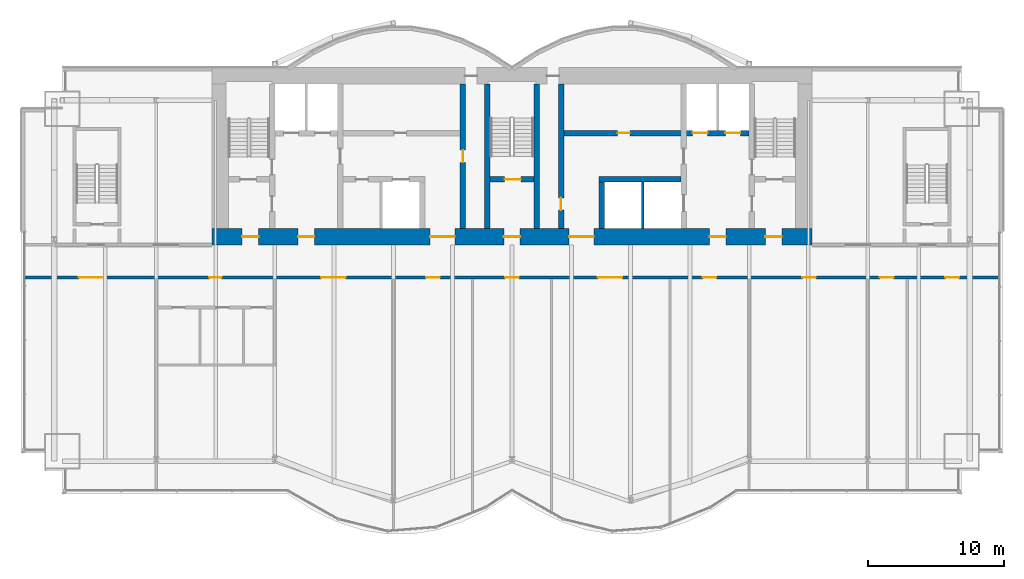
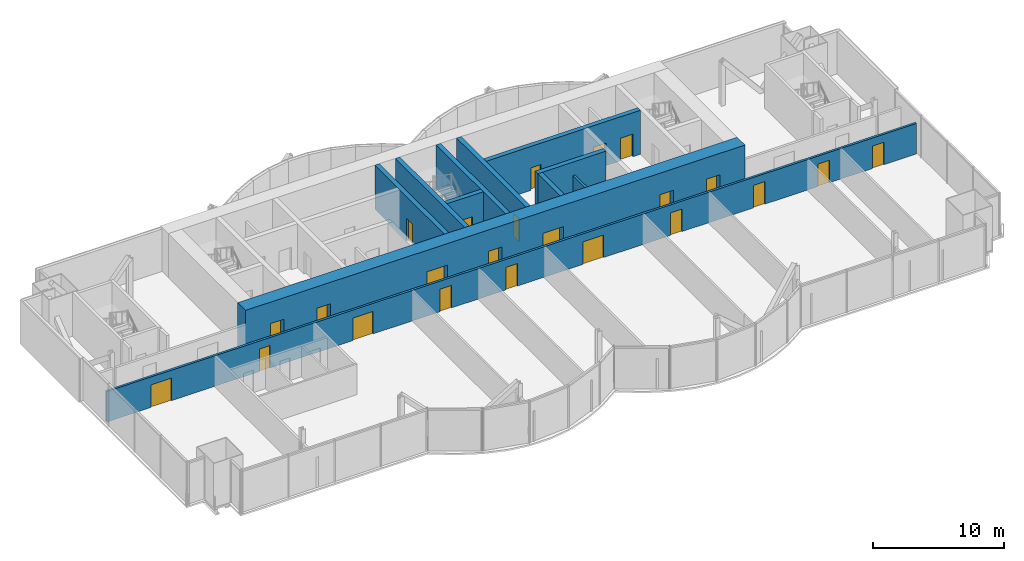
# One storey, part 15 of 20: 23 doors, 11 walls, 23 openings.
"""IFC4 building model written with IfcOpenShell, lengths in metres."""

from ifc_helpers import new_model, si_unit, direction, frame, frame_2d, origin, place, context, subcontext, project, spatial, rectangle, extrude, material, layer, layer_set, type_object, element, fill, save


model = new_model("IFC4")

# Units and contexts
model_context = context("Model", 3, precision=1e-05, world=origin(), true_north=direction((0.0, 1.0)))
body_context = subcontext(model_context, "Body", "Model", "MODEL_VIEW")
ifc_project = project(units=[si_unit("LENGTHUNIT", "METRE"), si_unit("AREAUNIT", "SQUARE_METRE"), si_unit("VOLUMEUNIT", "CUBIC_METRE"), si_unit("PLANEANGLEUNIT", "RADIAN"), si_unit("MASSUNIT", "GRAM", prefix="KILO")], contexts=[model_context])

# Site, building, storey
site_placement = place(None, origin())
site = spatial("IfcSite", under=ifc_project, at=site_placement, CompositionType="ELEMENT")
building_placement = place(site_placement, origin())
building = spatial("IfcBuilding", under=site, at=building_placement, Name="Bicima Exchange Tower", CompositionType="ELEMENT")
storey_placement = place(building_placement, frame((0.0, 0.0, 223.699951171875)))
storey = spatial("IfcBuildingStorey", under=building, at=storey_placement, Name="L50", CompositionType="ELEMENT", Elevation=223.699951171875)

# Wall
ifc_material_1 = material(Name="Gypsum board partition")
ifc_layer_1 = layer(ifc_material_1, 0.199951171875)
ifc_layer_set_1 = layer_set([ifc_layer_1], Name="Gypsum board partition")
wall_type_1 = type_object("IfcWallType", Name="Fire-rated gypsum partition 200 EI120", PredefinedType="PARTITIONING", material=ifc_layer_set_1)
wall_1_placement = place(storey_placement, frame((9.60009765625, -11.800048828125, 0.0), z_axis=(0.0, 0.0, 1.0), x_axis=(0.0, 1.0, 0.0)))
element("IfcWall", 1, at=wall_1_placement, inside=storey, type_object=wall_type_1, Name="partition wall 18", PredefinedType="PARTITIONING", context=body_context, shape_type="SweptSolid", body=[
    extrude(rectangle(XDim=3.400146484375, YDim=0.199951171875, at=frame_2d((1.7001953125, 0.0))), origin(), (0.0, 0.0, 1.0), 2.84033203125),
])

# Wall, openings, doors
ifc_layer_2 = layer(ifc_material_1, 0.199951171875)
ifc_layer_set_2 = layer_set([ifc_layer_2], Name="Gypsum board partition")
wall_type_2 = type_object("IfcWallType", Name="Fire-rated gypsum partition 200 EI60", PredefinedType="PARTITIONING", material=ifc_layer_set_2)
wall_2_placement = place(storey_placement, frame((-35.679931640625, -15.39990234375, 0.0), z_axis=(0.0, 0.0, 1.0), x_axis=(1.0, 0.0, 0.0)))
wall_2 = element("IfcWall", 2, at=wall_2_placement, inside=storey, type_object=wall_type_2, Name="partition wall 3", PredefinedType="PARTITIONING", context=body_context, shape_type="SweptSolid", body=[
    extrude(rectangle(XDim=71.35986328125, YDim=0.199951171875, at=frame_2d((35.679931640625, 0.0))), origin(), (0.0, 0.0, 1.0), 2.84033203125),
])
opening_1_placement = place(wall_2_placement, frame((3.89990234375, 0.0, 0.0)))
opening_1 = element("IfcOpeningElement", 3, at=opening_1_placement, cuts=wall_2, Name="Opening L50-007", PredefinedType="OPENING", context=body_context, shape_type="SweptSolid", body=[
    extrude(rectangle(XDim=1.800048828125, YDim=2.10009765625, at=frame_2d((0.89990234375, 1.050048828125))), frame((0.0, 0.11181640625, 0.0), z_axis=(0.0, -1.0, 0.0), x_axis=(1.0, 0.0, 0.0)), (0.0, 0.0, 1.0), 0.223876953125),
])
opening_2_placement = place(wall_2_placement, frame((13.47998046875, 0.0, 0.0)))
opening_2 = element("IfcOpeningElement", 4, at=opening_2_placement, cuts=wall_2, Name="Opening L50-008", PredefinedType="OPENING", context=body_context, shape_type="SweptSolid", body=[
    extrude(rectangle(XDim=0.89990234375, YDim=2.10009765625, at=frame_2d((0.449951171875, 1.050048828125))), frame((0.0, 0.11181640625, 0.0), z_axis=(0.0, -1.0, 0.0), x_axis=(1.0, 0.0, 0.0)), (0.0, 0.0, 1.0), 0.223876953125),
])
opening_3_placement = place(wall_2_placement, frame((21.679931640625, 0.0, 0.0)))
opening_3 = element("IfcOpeningElement", 5, at=opening_3_placement, cuts=wall_2, Name="Opening L50-012", PredefinedType="OPENING", context=body_context, shape_type="SweptSolid", body=[
    extrude(rectangle(XDim=1.800048828125, YDim=2.10009765625, at=frame_2d((0.89990234375, 1.050048828125))), frame((0.0, 0.11181640625, 0.0), z_axis=(0.0, -1.0, 0.0), x_axis=(1.0, 0.0, 0.0)), (0.0, 0.0, 1.0), 0.223876953125),
])
opening_4_placement = place(wall_2_placement, frame((29.3798828125, 0.0, 0.0)))
opening_4 = element("IfcOpeningElement", 6, at=opening_4_placement, cuts=wall_2, Name="Opening L50-013", PredefinedType="OPENING", context=body_context, shape_type="SweptSolid", body=[
    extrude(rectangle(XDim=1.0, YDim=2.10009765625, at=frame_2d((0.5, 1.050048828125))), frame((0.0, 0.11181640625, 0.0), z_axis=(0.0, -1.0, 0.0), x_axis=(1.0, 0.0, 0.0)), (0.0, 0.0, 1.0), 0.223876953125),
])
opening_5_placement = place(wall_2_placement, frame((35.179931640625, 0.0, 0.0)))
opening_5 = element("IfcOpeningElement", 7, at=opening_5_placement, cuts=wall_2, Name="Opening L50-014", PredefinedType="OPENING", context=body_context, shape_type="SweptSolid", body=[
    extrude(rectangle(XDim=1.0, YDim=2.10009765625, at=frame_2d((0.5, 1.050048828125))), frame((0.0, 0.11181640625, 0.0), z_axis=(0.0, -1.0, 0.0), x_axis=(1.0, 0.0, 0.0)), (0.0, 0.0, 1.0), 0.223876953125),
])
opening_6_placement = place(wall_2_placement, frame((41.97998046875, 0.0, 0.0)))
opening_6 = element("IfcOpeningElement", 8, at=opening_6_placement, cuts=wall_2, Name="Opening L50-015", PredefinedType="OPENING", context=body_context, shape_type="SweptSolid", body=[
    extrude(rectangle(XDim=1.800048828125, YDim=2.10009765625, at=frame_2d((0.89990234375, 1.050048828125))), frame((0.0, 0.11181640625, 0.0), z_axis=(0.0, -1.0, 0.0), x_axis=(1.0, 0.0, 0.0)), (0.0, 0.0, 1.0), 0.223876953125),
])
opening_7_placement = place(wall_2_placement, frame((49.679931640625, 0.0, 0.0)))
opening_7 = element("IfcOpeningElement", 9, at=opening_7_placement, cuts=wall_2, Name="Opening L50-016", PredefinedType="OPENING", context=body_context, shape_type="SweptSolid", body=[
    extrude(rectangle(XDim=1.0, YDim=2.10009765625, at=frame_2d((0.5, 1.050048828125))), frame((0.0, 0.11181640625, 0.0), z_axis=(0.0, -1.0, 0.0), x_axis=(1.0, 0.0, 0.0)), (0.0, 0.0, 1.0), 0.223876953125),
])
opening_8_placement = place(wall_2_placement, frame((56.97998046875, 0.0, 0.0)))
opening_8 = element("IfcOpeningElement", 10, at=opening_8_placement, cuts=wall_2, Name="Opening L50-017", PredefinedType="OPENING", context=body_context, shape_type="SweptSolid", body=[
    extrude(rectangle(XDim=1.0, YDim=2.10009765625, at=frame_2d((0.5, 1.050048828125))), frame((0.0, 0.11181640625, 0.0), z_axis=(0.0, -1.0, 0.0), x_axis=(1.0, 0.0, 0.0)), (0.0, 0.0, 1.0), 0.223876953125),
])
opening_9_placement = place(wall_2_placement, frame((62.679931640625, 0.0, 0.0)))
opening_9 = element("IfcOpeningElement", 11, at=opening_9_placement, cuts=wall_2, Name="Opening L50-018", PredefinedType="OPENING", context=body_context, shape_type="SweptSolid", body=[
    extrude(rectangle(XDim=1.0, YDim=2.10009765625, at=frame_2d((0.5, 1.050048828125))), frame((0.0, 0.11181640625, 0.0), z_axis=(0.0, -1.0, 0.0), x_axis=(1.0, 0.0, 0.0)), (0.0, 0.0, 1.0), 0.223876953125),
])
opening_10_placement = place(wall_2_placement, frame((67.47998046875, 0.0, 0.0)))
opening_10 = element("IfcOpeningElement", 12, at=opening_10_placement, cuts=wall_2, Name="Opening L50-019", PredefinedType="OPENING", context=body_context, shape_type="SweptSolid", body=[
    extrude(rectangle(XDim=1.0, YDim=2.10009765625, at=frame_2d((0.5, 1.050048828125))), frame((0.0, 0.11181640625, 0.0), z_axis=(0.0, -1.0, 0.0), x_axis=(1.0, 0.0, 0.0)), (0.0, 0.0, 1.0), 0.223876953125),
])
ifc_material_2 = material(Name="Steel fire door leaf", Category="steel")
door_type_1 = type_object("IfcDoorType", Name="Door 1000 swing FD30S", OperationType="SINGLE_SWING_LEFT", PredefinedType="DOOR", material=ifc_material_2)
door_1_placement = place(opening_4_placement, frame((1.0, 0.0, 0.0), z_axis=(0.0, 0.0, 1.0), x_axis=(-1.0, 0.0, 0.0)))
door_1 = element("IfcDoor", 13, at=door_1_placement, inside=storey, type_object=door_type_1, Name="Door", OperationType="SINGLE_SWING_LEFT", OverallHeight=2.10009765625, OverallWidth=1.0, PredefinedType="DOOR", context=body_context, shape_type="SweptSolid", body=[
    extrude(rectangle(XDim=1.0, YDim=2.10009765625, at=frame_2d((0.5, 1.050048828125))), frame((0.0, 0.02490234375, 0.0), z_axis=(0.0, -1.0, 0.0), x_axis=(1.0, 0.0, 0.0)), (0.0, 0.0, 1.0), 0.050048828125),
])
fill(opening_4, door_1)
door_2_placement = place(opening_5_placement, frame((1.0, 0.0, 0.0), z_axis=(0.0, 0.0, 1.0), x_axis=(-1.0, 0.0, 0.0)))
door_2 = element("IfcDoor", 14, at=door_2_placement, inside=storey, type_object=door_type_1, Name="Door", OperationType="SINGLE_SWING_RIGHT", OverallHeight=2.10009765625, OverallWidth=1.0, PredefinedType="DOOR", context=body_context, shape_type="SweptSolid", body=[
    extrude(rectangle(XDim=1.0, YDim=2.10009765625, at=frame_2d((0.5, 1.050048828125))), frame((0.0, 0.02490234375, 0.0), z_axis=(0.0, -1.0, 0.0), x_axis=(1.0, 0.0, 0.0)), (0.0, 0.0, 1.0), 0.050048828125),
])
fill(opening_5, door_2)
door_3_placement = place(opening_7_placement, frame((1.0, 0.0, 0.0), z_axis=(0.0, 0.0, 1.0), x_axis=(-1.0, 0.0, 0.0)))
door_3 = element("IfcDoor", 15, at=door_3_placement, inside=storey, type_object=door_type_1, Name="Door", OperationType="SINGLE_SWING_LEFT", OverallHeight=2.10009765625, OverallWidth=1.0, PredefinedType="DOOR", context=body_context, shape_type="SweptSolid", body=[
    extrude(rectangle(XDim=1.0, YDim=2.10009765625, at=frame_2d((0.5, 1.050048828125))), frame((0.0, 0.02490234375, 0.0), z_axis=(0.0, -1.0, 0.0), x_axis=(1.0, 0.0, 0.0)), (0.0, 0.0, 1.0), 0.050048828125),
])
fill(opening_7, door_3)
door_4_placement = place(opening_8_placement, frame((1.0, 0.0, 0.0), z_axis=(0.0, 0.0, 1.0), x_axis=(-1.0, 0.0, 0.0)))
door_4 = element("IfcDoor", 16, at=door_4_placement, inside=storey, type_object=door_type_1, Name="Door", OperationType="SINGLE_SWING_RIGHT", OverallHeight=2.10009765625, OverallWidth=1.0, PredefinedType="DOOR", context=body_context, shape_type="SweptSolid", body=[
    extrude(rectangle(XDim=1.0, YDim=2.10009765625, at=frame_2d((0.5, 1.050048828125))), frame((0.0, 0.02490234375, 0.0), z_axis=(0.0, -1.0, 0.0), x_axis=(1.0, 0.0, 0.0)), (0.0, 0.0, 1.0), 0.050048828125),
])
fill(opening_8, door_4)
door_5_placement = place(opening_9_placement, frame((1.0, 0.0, 0.0), z_axis=(0.0, 0.0, 1.0), x_axis=(-1.0, 0.0, 0.0)))
door_5 = element("IfcDoor", 17, at=door_5_placement, inside=storey, type_object=door_type_1, Name="Door", OperationType="SINGLE_SWING_RIGHT", OverallHeight=2.10009765625, OverallWidth=1.0, PredefinedType="DOOR", context=body_context, shape_type="SweptSolid", body=[
    extrude(rectangle(XDim=1.0, YDim=2.10009765625, at=frame_2d((0.5, 1.050048828125))), frame((0.0, 0.02490234375, 0.0), z_axis=(0.0, -1.0, 0.0), x_axis=(1.0, 0.0, 0.0)), (0.0, 0.0, 1.0), 0.050048828125),
])
fill(opening_9, door_5)
door_6_placement = place(opening_10_placement, frame((1.0, 0.0, 0.0), z_axis=(0.0, 0.0, 1.0), x_axis=(-1.0, 0.0, 0.0)))
door_6 = element("IfcDoor", 18, at=door_6_placement, inside=storey, type_object=door_type_1, Name="Door", OperationType="SINGLE_SWING_LEFT", OverallHeight=2.10009765625, OverallWidth=1.0, PredefinedType="DOOR", context=body_context, shape_type="SweptSolid", body=[
    extrude(rectangle(XDim=1.0, YDim=2.10009765625, at=frame_2d((0.5, 1.050048828125))), frame((0.0, 0.02490234375, 0.0), z_axis=(0.0, -1.0, 0.0), x_axis=(1.0, 0.0, 0.0)), (0.0, 0.0, 1.0), 0.050048828125),
])
fill(opening_10, door_6)
door_type_2 = type_object("IfcDoorType", Name="Door 1800 double swing FD30S", OperationType="DOUBLE_DOOR_SINGLE_SWING", PredefinedType="DOOR", material=ifc_material_2)
door_7_placement = place(opening_1_placement, origin())
door_7 = element("IfcDoor", 19, at=door_7_placement, inside=storey, type_object=door_type_2, Name="Door", OperationType="SINGLE_SWING_LEFT", OverallHeight=2.10009765625, OverallWidth=1.800048828125, PredefinedType="DOOR", context=body_context, shape_type="SweptSolid", body=[
    extrude(rectangle(XDim=1.800048828125, YDim=2.10009765625, at=frame_2d((0.89990234375, 1.050048828125))), frame((0.0, 0.02490234375, 0.0), z_axis=(0.0, -1.0, 0.0), x_axis=(1.0, 0.0, 0.0)), (0.0, 0.0, 1.0), 0.050048828125),
])
fill(opening_1, door_7)
door_8_placement = place(opening_3_placement, origin())
door_8 = element("IfcDoor", 20, at=door_8_placement, inside=storey, type_object=door_type_2, Name="Door", OperationType="SINGLE_SWING_LEFT", OverallHeight=2.10009765625, OverallWidth=1.800048828125, PredefinedType="DOOR", context=body_context, shape_type="SweptSolid", body=[
    extrude(rectangle(XDim=1.800048828125, YDim=2.10009765625, at=frame_2d((0.89990234375, 1.050048828125))), frame((0.0, 0.02490234375, 0.0), z_axis=(0.0, -1.0, 0.0), x_axis=(1.0, 0.0, 0.0)), (0.0, 0.0, 1.0), 0.050048828125),
])
fill(opening_3, door_8)
door_9_placement = place(opening_6_placement, origin())
door_9 = element("IfcDoor", 21, at=door_9_placement, inside=storey, type_object=door_type_2, Name="Door", OperationType="SINGLE_SWING_LEFT", OverallHeight=2.10009765625, OverallWidth=1.800048828125, PredefinedType="DOOR", context=body_context, shape_type="SweptSolid", body=[
    extrude(rectangle(XDim=1.800048828125, YDim=2.10009765625, at=frame_2d((0.89990234375, 1.050048828125))), frame((0.0, 0.02490234375, 0.0), z_axis=(0.0, -1.0, 0.0), x_axis=(1.0, 0.0, 0.0)), (0.0, 0.0, 1.0), 0.050048828125),
])
fill(opening_6, door_9)
door_type_3 = type_object("IfcDoorType", Name="Door 900 swing FD30S", OperationType="SINGLE_SWING_LEFT", PredefinedType="DOOR", material=ifc_material_2)
door_10_placement = place(opening_2_placement, frame((0.89990234375, 0.0, 0.0), z_axis=(0.0, 0.0, 1.0), x_axis=(-1.0, 0.0, 0.0)))
door_10 = element("IfcDoor", 22, at=door_10_placement, inside=storey, type_object=door_type_3, Name="Door", OperationType="SINGLE_SWING_RIGHT", OverallHeight=2.10009765625, OverallWidth=0.89990234375, PredefinedType="DOOR", context=body_context, shape_type="SweptSolid", body=[
    extrude(rectangle(XDim=0.89990234375, YDim=2.10009765625, at=frame_2d((0.449951171875, 1.050048828125))), frame((0.0, 0.02490234375, 0.0), z_axis=(0.0, -1.0, 0.0), x_axis=(1.0, 0.0, 0.0)), (0.0, 0.0, 1.0), 0.050048828125),
])
fill(opening_2, door_10)

ifc_material_3 = material(Name="Concrete C50/60", Category="concrete")
ifc_layer_3 = layer(ifc_material_3, 1.199951171875)
ifc_layer_set_3 = layer_set([ifc_layer_3], Name="Concrete C50/60")
wall_type_3 = type_object("IfcWallType", Name="RC core wall 1200 C50/60", PredefinedType="SHEAR", material=ifc_layer_set_3)
wall_3_placement = place(storey_placement, frame((-22.0, -12.39990234375, 0.0), z_axis=(0.0, 0.0, 1.0), x_axis=(1.0, 0.0, 0.0)))
wall_3 = element("IfcWall", 23, at=wall_3_placement, inside=storey, type_object=wall_type_3, Name="Core wall south", PredefinedType="SHEAR", context=body_context, shape_type="SweptSolid", body=[
    extrude(rectangle(XDim=44.0, YDim=1.199951171875, at=frame_2d((22.0, 0.0))), origin(), (0.0, 0.0, 1.0), 4.10009765625),
])
opening_11_placement = place(wall_3_placement, frame((2.199951171875, 0.0, 0.0)))
opening_11 = element("IfcOpeningElement", 24, at=opening_11_placement, cuts=wall_3, Name="Opening L50-C17", PredefinedType="OPENING", context=body_context, shape_type="SweptSolid", body=[
    extrude(rectangle(XDim=1.199951171875, YDim=2.10009765625, at=frame_2d((0.60009765625, 1.050048828125))), frame((0.0, 0.61181640625, 0.0), z_axis=(0.0, -1.0, 0.0), x_axis=(1.0, 0.0, 0.0)), (0.0, 0.0, 1.0), 1.223876953125),
])
opening_12_placement = place(wall_3_placement, frame((21.39990234375, 0.0, 0.0)))
opening_12 = element("IfcOpeningElement", 25, at=opening_12_placement, cuts=wall_3, Name="Opening L50-C18", PredefinedType="OPENING", context=body_context, shape_type="SweptSolid", body=[
    extrude(rectangle(XDim=1.199951171875, YDim=2.10009765625, at=frame_2d((0.60009765625, 1.050048828125))), frame((0.0, 0.61181640625, 0.0), z_axis=(0.0, -1.0, 0.0), x_axis=(1.0, 0.0, 0.0)), (0.0, 0.0, 1.0), 1.223876953125),
])
opening_13_placement = place(wall_3_placement, frame((40.60009765625, 0.0, 0.0)))
opening_13 = element("IfcOpeningElement", 26, at=opening_13_placement, cuts=wall_3, Name="Opening L50-C19", PredefinedType="OPENING", context=body_context, shape_type="SweptSolid", body=[
    extrude(rectangle(XDim=1.199951171875, YDim=2.10009765625, at=frame_2d((0.60009765625, 1.050048828125))), frame((0.0, 0.61181640625, 0.0), z_axis=(0.0, -1.0, 0.0), x_axis=(1.0, 0.0, 0.0)), (0.0, 0.0, 1.0), 1.223876953125),
])
opening_14_placement = place(wall_3_placement, frame((16.0, 0.0, 0.0)))
opening_14 = element("IfcOpeningElement", 27, at=opening_14_placement, cuts=wall_3, Name="Opening L50-C20", PredefinedType="OPENING", context=body_context, shape_type="SweptSolid", body=[
    extrude(rectangle(XDim=1.800048828125, YDim=2.10009765625, at=frame_2d((0.89990234375, 1.050048828125))), frame((0.0, 0.61181640625, 0.0), z_axis=(0.0, -1.0, 0.0), x_axis=(1.0, 0.0, 0.0)), (0.0, 0.0, 1.0), 1.223876953125),
])
opening_15_placement = place(wall_3_placement, frame((6.300048828125, 0.0, 0.0)))
opening_15 = element("IfcOpeningElement", 28, at=opening_15_placement, cuts=wall_3, Name="Opening L50-C21", PredefinedType="OPENING", context=body_context, shape_type="SweptSolid", body=[
    extrude(rectangle(XDim=1.199951171875, YDim=2.10009765625, at=frame_2d((0.60009765625, 1.050048828125))), frame((0.0, 0.61181640625, 0.0), z_axis=(0.0, -1.0, 0.0), x_axis=(1.0, 0.0, 0.0)), (0.0, 0.0, 1.0), 1.223876953125),
])
opening_16_placement = place(wall_3_placement, frame((26.199951171875, 0.0, 0.0)))
opening_16 = element("IfcOpeningElement", 29, at=opening_16_placement, cuts=wall_3, Name="Opening L50-C22", PredefinedType="OPENING", context=body_context, shape_type="SweptSolid", body=[
    extrude(rectangle(XDim=1.800048828125, YDim=2.10009765625, at=frame_2d((0.89990234375, 1.050048828125))), frame((0.0, 0.61181640625, 0.0), z_axis=(0.0, -1.0, 0.0), x_axis=(1.0, 0.0, 0.0)), (0.0, 0.0, 1.0), 1.223876953125),
])
opening_17_placement = place(wall_3_placement, frame((36.5, 0.0, 0.0)))
opening_17 = element("IfcOpeningElement", 30, at=opening_17_placement, cuts=wall_3, Name="Opening L50-C23", PredefinedType="OPENING", context=body_context, shape_type="SweptSolid", body=[
    extrude(rectangle(XDim=1.199951171875, YDim=2.10009765625, at=frame_2d((0.60009765625, 1.050048828125))), frame((0.0, 0.61181640625, 0.0), z_axis=(0.0, -1.0, 0.0), x_axis=(1.0, 0.0, 0.0)), (0.0, 0.0, 1.0), 1.223876953125),
])
door_type_4 = type_object("IfcDoorType", Name="Door 1200 swing FD60S", OperationType="SINGLE_SWING_LEFT", PredefinedType="DOOR", material=ifc_material_2)
door_11_placement = place(opening_11_placement, frame((1.199951171875, 0.0, 0.0), z_axis=(0.0, 0.0, 1.0), x_axis=(-1.0, 0.0, 0.0)))
door_11 = element("IfcDoor", 31, at=door_11_placement, inside=storey, type_object=door_type_4, Name="Core door", OperationType="SINGLE_SWING_RIGHT", OverallHeight=2.10009765625, OverallWidth=1.199951171875, PredefinedType="DOOR", context=body_context, shape_type="SweptSolid", body=[
    extrude(rectangle(XDim=1.199951171875, YDim=2.10009765625, at=frame_2d((0.60009765625, 1.050048828125))), frame((0.0, 0.02490234375, 0.0), z_axis=(0.0, -1.0, 0.0), x_axis=(1.0, 0.0, 0.0)), (0.0, 0.0, 1.0), 0.050048828125),
])
fill(opening_11, door_11)
door_12_placement = place(opening_12_placement, frame((1.199951171875, 0.0, 0.0), z_axis=(0.0, 0.0, 1.0), x_axis=(-1.0, 0.0, 0.0)))
door_12 = element("IfcDoor", 32, at=door_12_placement, inside=storey, type_object=door_type_4, Name="Core door", OperationType="SINGLE_SWING_RIGHT", OverallHeight=2.10009765625, OverallWidth=1.199951171875, PredefinedType="DOOR", context=body_context, shape_type="SweptSolid", body=[
    extrude(rectangle(XDim=1.199951171875, YDim=2.10009765625, at=frame_2d((0.60009765625, 1.050048828125))), frame((0.0, 0.02490234375, 0.0), z_axis=(0.0, -1.0, 0.0), x_axis=(1.0, 0.0, 0.0)), (0.0, 0.0, 1.0), 0.050048828125),
])
fill(opening_12, door_12)
door_13_placement = place(opening_13_placement, frame((1.199951171875, 0.0, 0.0), z_axis=(0.0, 0.0, 1.0), x_axis=(-1.0, 0.0, 0.0)))
door_13 = element("IfcDoor", 33, at=door_13_placement, inside=storey, type_object=door_type_4, Name="Core door", OperationType="SINGLE_SWING_RIGHT", OverallHeight=2.10009765625, OverallWidth=1.199951171875, PredefinedType="DOOR", context=body_context, shape_type="SweptSolid", body=[
    extrude(rectangle(XDim=1.199951171875, YDim=2.10009765625, at=frame_2d((0.60009765625, 1.050048828125))), frame((0.0, 0.02490234375, 0.0), z_axis=(0.0, -1.0, 0.0), x_axis=(1.0, 0.0, 0.0)), (0.0, 0.0, 1.0), 0.050048828125),
])
fill(opening_13, door_13)
door_14_placement = place(opening_15_placement, frame((1.199951171875, 0.0, 0.0), z_axis=(0.0, 0.0, 1.0), x_axis=(-1.0, 0.0, 0.0)))
door_14 = element("IfcDoor", 34, at=door_14_placement, inside=storey, type_object=door_type_4, Name="Core door", OperationType="SINGLE_SWING_RIGHT", OverallHeight=2.10009765625, OverallWidth=1.199951171875, PredefinedType="DOOR", context=body_context, shape_type="SweptSolid", body=[
    extrude(rectangle(XDim=1.199951171875, YDim=2.10009765625, at=frame_2d((0.60009765625, 1.050048828125))), frame((0.0, 0.02490234375, 0.0), z_axis=(0.0, -1.0, 0.0), x_axis=(1.0, 0.0, 0.0)), (0.0, 0.0, 1.0), 0.050048828125),
])
fill(opening_15, door_14)
door_15_placement = place(opening_17_placement, frame((1.199951171875, 0.0, 0.0), z_axis=(0.0, 0.0, 1.0), x_axis=(-1.0, 0.0, 0.0)))
door_15 = element("IfcDoor", 35, at=door_15_placement, inside=storey, type_object=door_type_4, Name="Core door", OperationType="SINGLE_SWING_RIGHT", OverallHeight=2.10009765625, OverallWidth=1.199951171875, PredefinedType="DOOR", context=body_context, shape_type="SweptSolid", body=[
    extrude(rectangle(XDim=1.199951171875, YDim=2.10009765625, at=frame_2d((0.60009765625, 1.050048828125))), frame((0.0, 0.02490234375, 0.0), z_axis=(0.0, -1.0, 0.0), x_axis=(1.0, 0.0, 0.0)), (0.0, 0.0, 1.0), 0.050048828125),
])
fill(opening_17, door_15)
door_16_placement = place(opening_14_placement, origin())
door_16 = element("IfcDoor", 36, at=door_16_placement, inside=storey, type_object=door_type_2, Name="Core door", OperationType="SINGLE_SWING_LEFT", OverallHeight=2.10009765625, OverallWidth=1.800048828125, PredefinedType="DOOR", context=body_context, shape_type="SweptSolid", body=[
    extrude(rectangle(XDim=1.800048828125, YDim=2.10009765625, at=frame_2d((0.89990234375, 1.050048828125))), frame((0.0, 0.02490234375, 0.0), z_axis=(0.0, -1.0, 0.0), x_axis=(1.0, 0.0, 0.0)), (0.0, 0.0, 1.0), 0.050048828125),
])
fill(opening_14, door_16)
door_17_placement = place(opening_16_placement, origin())
door_17 = element("IfcDoor", 37, at=door_17_placement, inside=storey, type_object=door_type_2, Name="Core door", OperationType="SINGLE_SWING_LEFT", OverallHeight=2.10009765625, OverallWidth=1.800048828125, PredefinedType="DOOR", context=body_context, shape_type="SweptSolid", body=[
    extrude(rectangle(XDim=1.800048828125, YDim=2.10009765625, at=frame_2d((0.89990234375, 1.050048828125))), frame((0.0, 0.02490234375, 0.0), z_axis=(0.0, -1.0, 0.0), x_axis=(1.0, 0.0, 0.0)), (0.0, 0.0, 1.0), 0.050048828125),
])
fill(opening_16, door_17)

# Wall, opening, door
ifc_layer_4 = layer(ifc_material_3, 0.39990234375)
ifc_layer_set_4 = layer_set([ifc_layer_4], Name="Concrete C50/60")
wall_type_4 = type_object("IfcWallType", Name="RC core wall 400 C50/60", PredefinedType="SHEAR", material=ifc_layer_set_4)
wall_4_placement = place(storey_placement, frame((-1.60009765625, -8.199951171875, 0.0), z_axis=(0.0, 0.0, 1.0), x_axis=(1.0, 0.0, 0.0)))
wall_4 = element("IfcWall", 38, at=wall_4_placement, inside=storey, type_object=wall_type_4, Name="stair wall 3", PredefinedType="SHEAR", context=body_context, shape_type="SweptSolid", body=[
    extrude(rectangle(XDim=3.2001953125, YDim=0.39990234375, at=frame_2d((1.60009765625, 0.0))), origin(), (0.0, 0.0, 1.0), 4.10009765625),
])
opening_18_placement = place(wall_4_placement, frame((1.050048828125, 0.0, 0.0)))
opening_18 = element("IfcOpeningElement", 39, at=opening_18_placement, cuts=wall_4, Name="Opening L50-C03", PredefinedType="OPENING", context=body_context, shape_type="SweptSolid", body=[
    extrude(rectangle(XDim=1.199951171875, YDim=2.10009765625, at=frame_2d((0.60009765625, 1.050048828125))), frame((0.0, 0.2119140625, 0.0), z_axis=(0.0, -1.0, 0.0), x_axis=(1.0, 0.0, 0.0)), (0.0, 0.0, 1.0), 0.423828125),
])
door_18_placement = place(opening_18_placement, origin())
door_18 = element("IfcDoor", 40, at=door_18_placement, inside=storey, type_object=door_type_4, Name="Core door", OperationType="SINGLE_SWING_LEFT", OverallHeight=2.10009765625, OverallWidth=1.199951171875, PredefinedType="DOOR", context=body_context, shape_type="SweptSolid", body=[
    extrude(rectangle(XDim=1.199951171875, YDim=2.10009765625, at=frame_2d((0.60009765625, 1.050048828125))), frame((0.0, 0.02490234375, 0.0), z_axis=(0.0, -1.0, 0.0), x_axis=(1.0, 0.0, 0.0)), (0.0, 0.0, 1.0), 0.050048828125),
])
fill(opening_18, door_18)

# Wall
wall_5_placement = place(storey_placement, frame((6.39990234375, -8.199951171875, 0.0), z_axis=(0.0, 0.0, 1.0), x_axis=(1.0, 0.0, 0.0)))
element("IfcWall", 41, at=wall_5_placement, inside=storey, type_object=wall_type_4, Name="shear wall 4", PredefinedType="SHEAR", context=body_context, shape_type="SweptSolid", body=[
    extrude(rectangle(XDim=6.0, YDim=0.39990234375, at=frame_2d((3.0, 0.0))), origin(), (0.0, 0.0, 1.0), 4.10009765625),
])

# Wall, openings, doors
wall_6_placement = place(storey_placement, frame((3.800048828125, -4.800048828125, 0.0), z_axis=(0.0, 0.0, 1.0), x_axis=(1.0, 0.0, 0.0)))
wall_6 = element("IfcWall", 42, at=wall_6_placement, inside=storey, type_object=wall_type_4, Name="shear wall 7", PredefinedType="SHEAR", context=body_context, shape_type="SweptSolid", body=[
    extrude(rectangle(XDim=13.599853515625, YDim=0.39990234375, at=frame_2d((6.7998046875, 0.0))), origin(), (0.0, 0.0, 1.0), 4.10009765625),
])
opening_19_placement = place(wall_6_placement, frame((9.449951171875, 0.0, 0.0)))
opening_19 = element("IfcOpeningElement", 43, at=opening_19_placement, cuts=wall_6, Name="Opening LD-FF2-L50", PredefinedType="OPENING", context=body_context, shape_type="SweptSolid", body=[
    extrude(rectangle(XDim=1.10009765625, YDim=2.10009765625, at=frame_2d((0.550048828125, 1.050048828125))), frame((0.0, 0.2119140625, 0.0), z_axis=(0.0, -1.0, 0.0), x_axis=(1.0, 0.0, 0.0)), (0.0, 0.0, 1.0), 0.423828125),
])
opening_20_placement = place(wall_6_placement, frame((11.85009765625, 0.0, 0.0)))
opening_20 = element("IfcOpeningElement", 44, at=opening_20_placement, cuts=wall_6, Name="Opening LD-SV1-L50", PredefinedType="OPENING", context=body_context, shape_type="SweptSolid", body=[
    extrude(rectangle(XDim=1.10009765625, YDim=2.10009765625, at=frame_2d((0.550048828125, 1.050048828125))), frame((0.0, 0.2119140625, 0.0), z_axis=(0.0, -1.0, 0.0), x_axis=(1.0, 0.0, 0.0)), (0.0, 0.0, 1.0), 0.423828125),
])
opening_21_placement = place(wall_6_placement, frame((3.949951171875, 0.0, 0.0)))
opening_21 = element("IfcOpeningElement", 45, at=opening_21_placement, cuts=wall_6, Name="Opening L50-C13", PredefinedType="OPENING", context=body_context, shape_type="SweptSolid", body=[
    extrude(rectangle(XDim=0.89990234375, YDim=2.10009765625, at=frame_2d((0.449951171875, 1.050048828125))), frame((0.0, 0.2119140625, 0.0), z_axis=(0.0, -1.0, 0.0), x_axis=(1.0, 0.0, 0.0)), (0.0, 0.0, 1.0), 0.423828125),
])
door_19_placement = place(opening_21_placement, origin())
door_19 = element("IfcDoor", 46, at=door_19_placement, inside=storey, type_object=door_type_3, Name="Core door", OperationType="SINGLE_SWING_LEFT", OverallHeight=2.10009765625, OverallWidth=0.89990234375, PredefinedType="DOOR", context=body_context, shape_type="SweptSolid", body=[
    extrude(rectangle(XDim=0.89990234375, YDim=2.10009765625, at=frame_2d((0.449951171875, 1.050048828125))), frame((0.0, 0.02490234375, 0.0), z_axis=(0.0, -1.0, 0.0), x_axis=(1.0, 0.0, 0.0)), (0.0, 0.0, 1.0), 0.050048828125),
])
fill(opening_21, door_19)
ifc_material_4 = material(Name="Stainless steel", Category="steel")
door_type_5 = type_object("IfcDoorType", Name="Lift landing door 1100 sliding", OperationType="DOUBLE_DOOR_SLIDING", PredefinedType="DOOR", material=ifc_material_4)
door_20_placement = place(opening_19_placement, origin())
door_20 = element("IfcDoor", 47, at=door_20_placement, inside=storey, type_object=door_type_5, Name="Lift landing door FF2", OperationType="DOUBLE_DOOR_SLIDING", OverallHeight=2.10009765625, OverallWidth=1.10009765625, PredefinedType="DOOR", context=body_context, shape_type="SweptSolid", body=[
    extrude(rectangle(XDim=1.10009765625, YDim=2.10009765625, at=frame_2d((0.550048828125, 1.050048828125))), frame((0.0, 0.02490234375, 0.0), z_axis=(0.0, -1.0, 0.0), x_axis=(1.0, 0.0, 0.0)), (0.0, 0.0, 1.0), 0.050048828125),
])
fill(opening_19, door_20)
door_21_placement = place(opening_20_placement, origin())
door_21 = element("IfcDoor", 48, at=door_21_placement, inside=storey, type_object=door_type_5, Name="Lift landing door SV1", OperationType="DOUBLE_DOOR_SLIDING", OverallHeight=2.10009765625, OverallWidth=1.10009765625, PredefinedType="DOOR", context=body_context, shape_type="SweptSolid", body=[
    extrude(rectangle(XDim=1.10009765625, YDim=2.10009765625, at=frame_2d((0.550048828125, 1.050048828125))), frame((0.0, 0.02490234375, 0.0), z_axis=(0.0, -1.0, 0.0), x_axis=(1.0, 0.0, 0.0)), (0.0, 0.0, 1.0), 0.050048828125),
])
fill(opening_20, door_21)

# Wall, opening, door
wall_7_placement = place(storey_placement, frame((-3.60009765625, -11.800048828125, 0.0), z_axis=(0.0, 0.0, 1.0), x_axis=(0.0, 1.0, 0.0)))
wall_7 = element("IfcWall", 49, at=wall_7_placement, inside=storey, type_object=wall_type_4, Name="shear wall 13", PredefinedType="SHEAR", context=body_context, shape_type="SweptSolid", body=[
    extrude(rectangle(XDim=10.60009765625, YDim=0.39990234375, at=frame_2d((5.300048828125, 0.0))), origin(), (0.0, 0.0, 1.0), 4.10009765625),
])
opening_22_placement = place(wall_7_placement, frame((4.85009765625, 0.0, 0.0)))
opening_22 = element("IfcOpeningElement", 50, at=opening_22_placement, cuts=wall_7, Name="Opening L50-C10", PredefinedType="OPENING", context=body_context, shape_type="SweptSolid", body=[
    extrude(rectangle(XDim=0.89990234375, YDim=2.10009765625, at=frame_2d((0.449951171875, 1.050048828125))), frame((0.0, 0.2119140625, 0.0), z_axis=(0.0, -1.0, 0.0), x_axis=(1.0, 0.0, 0.0)), (0.0, 0.0, 1.0), 0.423828125),
])
door_22_placement = place(opening_22_placement, frame((0.89990234375, 0.0, 0.0), z_axis=(0.0, 0.0, 1.0), x_axis=(-1.0, 0.0, 0.0)))
door_22 = element("IfcDoor", 51, at=door_22_placement, inside=storey, type_object=door_type_3, Name="Core door", OperationType="SINGLE_SWING_LEFT", OverallHeight=2.10009765625, OverallWidth=0.89990234375, PredefinedType="DOOR", context=body_context, shape_type="SweptSolid", body=[
    extrude(rectangle(XDim=0.89990234375, YDim=2.10009765625, at=frame_2d((0.449951171875, 1.050048828125))), frame((0.0, 0.02490234375, 0.0), z_axis=(0.0, -1.0, 0.0), x_axis=(1.0, 0.0, 0.0)), (0.0, 0.0, 1.0), 0.050048828125),
])
fill(opening_22, door_22)

# Walls
for number, where, z_axis, x_axis, name in (
    (52, (-1.800048828125, -11.800048828125, 0.0), (0.0, 0.0, 1.0), (0.0, 1.0, 0.0), "stair wall 14"),
    (53, (1.800048828125, -11.800048828125, 0.0), (0.0, 0.0, 1.0), (0.0, 1.0, 0.0), "stair wall 15"),
):
    element("IfcWall", number, at=place(storey_placement, frame(where, z_axis=z_axis, x_axis=x_axis)), inside=storey, type_object=wall_type_4, Name=name, PredefinedType="SHEAR", context=body_context, shape_type="SweptSolid", body=[
        extrude(rectangle(XDim=10.60009765625, YDim=0.39990234375, at=frame_2d((5.300048828125, 0.0))), origin(), (0.0, 0.0, 1.0), 4.10009765625),
    ])

# Wall, opening, door
wall_8_placement = place(storey_placement, frame((3.60009765625, -11.800048828125, 0.0), z_axis=(0.0, 0.0, 1.0), x_axis=(0.0, 1.0, 0.0)))
wall_8 = element("IfcWall", 54, at=wall_8_placement, inside=storey, type_object=wall_type_4, Name="shear wall 16", PredefinedType="SHEAR", context=body_context, shape_type="SweptSolid", body=[
    extrude(rectangle(XDim=10.60009765625, YDim=0.39990234375, at=frame_2d((5.300048828125, 0.0))), origin(), (0.0, 0.0, 1.0), 4.10009765625),
])
opening_23_placement = place(wall_8_placement, frame((1.35009765625, 0.0, 0.0)))
opening_23 = element("IfcOpeningElement", 55, at=opening_23_placement, cuts=wall_8, Name="Opening L50-C11", PredefinedType="OPENING", context=body_context, shape_type="SweptSolid", body=[
    extrude(rectangle(XDim=0.89990234375, YDim=2.10009765625, at=frame_2d((0.449951171875, 1.050048828125))), frame((0.0, 0.2119140625, 0.0), z_axis=(0.0, -1.0, 0.0), x_axis=(1.0, 0.0, 0.0)), (0.0, 0.0, 1.0), 0.423828125),
])
door_23_placement = place(opening_23_placement, origin())
door_23 = element("IfcDoor", 56, at=door_23_placement, inside=storey, type_object=door_type_3, Name="Core door", OperationType="SINGLE_SWING_LEFT", OverallHeight=2.10009765625, OverallWidth=0.89990234375, PredefinedType="DOOR", context=body_context, shape_type="SweptSolid", body=[
    extrude(rectangle(XDim=0.89990234375, YDim=2.10009765625, at=frame_2d((0.449951171875, 1.050048828125))), frame((0.0, 0.02490234375, 0.0), z_axis=(0.0, -1.0, 0.0), x_axis=(1.0, 0.0, 0.0)), (0.0, 0.0, 1.0), 0.050048828125),
])
fill(opening_23, door_23)

# Wall
wall_9_placement = place(storey_placement, frame((6.60009765625, -11.800048828125, 0.0), z_axis=(0.0, 0.0, 1.0), x_axis=(0.0, 1.0, 0.0)))
element("IfcWall", 57, at=wall_9_placement, inside=storey, type_object=wall_type_4, Name="shear wall 17", PredefinedType="SHEAR", context=body_context, shape_type="SweptSolid", body=[
    extrude(rectangle(XDim=3.400146484375, YDim=0.39990234375, at=frame_2d((1.7001953125, 0.0))), origin(), (0.0, 0.0, 1.0), 4.10009765625),
])

save(model, "model.ifc")
